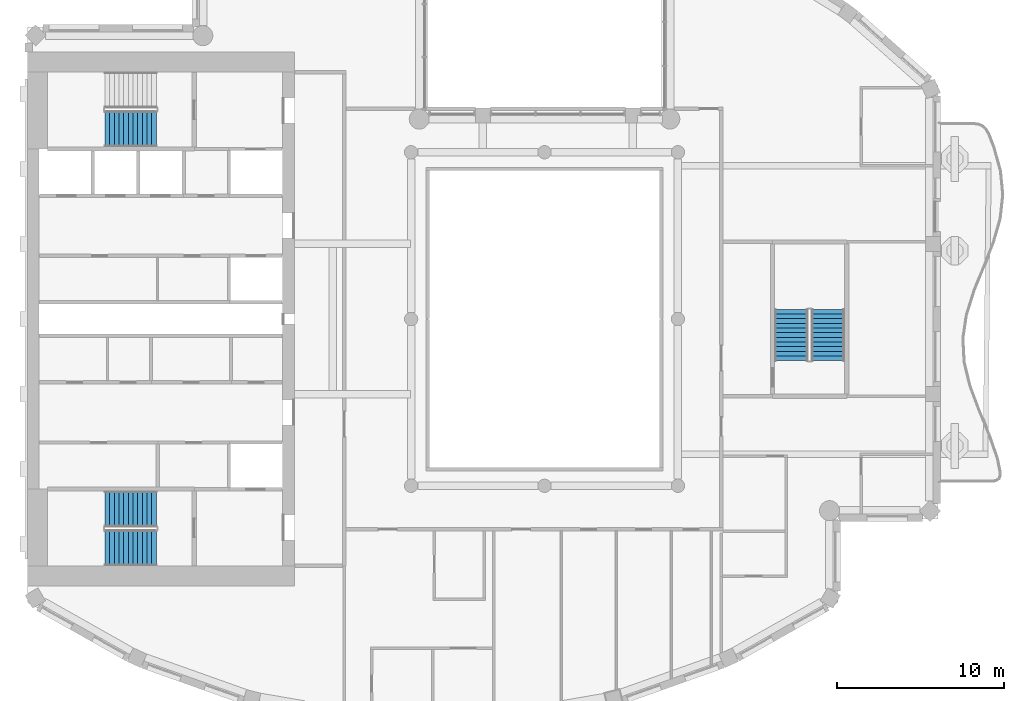
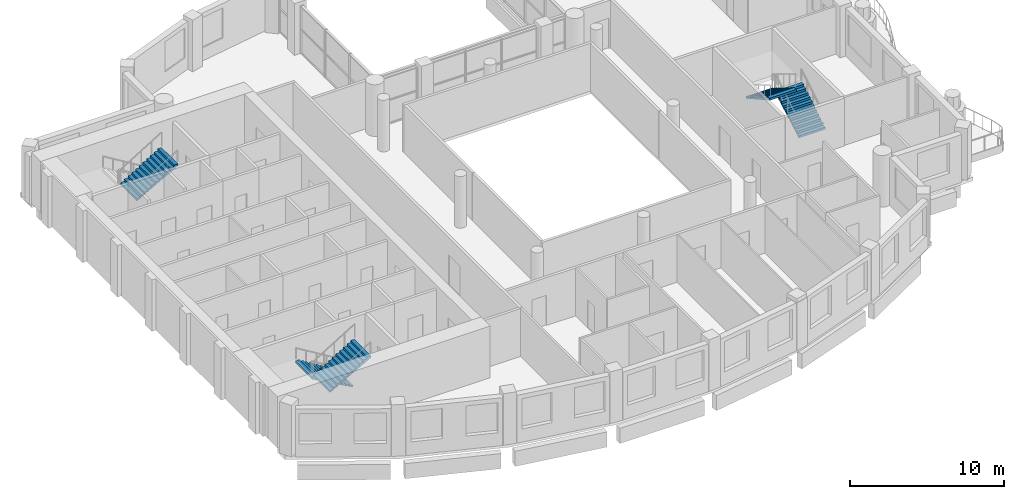
# One storey, part 9 of 15: 5 stair flights, 3 elements without a shape of their own.
"""IFC4 building model written with IfcOpenShell, lengths in metres."""

from ifc_helpers import new_model, si_unit, direction, frame, origin, place, context, subcontext, project, spatial, triangles, material, type_object, element, aggregate, save


model = new_model("IFC4")

# Units and contexts
model_context = context("Model", 3, precision=1e-05, world=origin(), true_north=direction((0.0, 1.0)))
body_context = subcontext(model_context, "Body", "Model", "MODEL_VIEW")
ifc_project = project(units=[si_unit("LENGTHUNIT", "METRE"), si_unit("AREAUNIT", "SQUARE_METRE"), si_unit("VOLUMEUNIT", "CUBIC_METRE"), si_unit("PLANEANGLEUNIT", "RADIAN"), si_unit("MASSUNIT", "GRAM", prefix="KILO")], contexts=[model_context])

# Site, building, storey
site_placement = place(None, origin())
site = spatial("IfcSite", under=ifc_project, at=site_placement, CompositionType="ELEMENT")
building_placement = place(site_placement, origin())
building = spatial("IfcBuilding", under=site, at=building_placement, Name="Cypress Arch Tower", CompositionType="ELEMENT")
storey_placement = place(building_placement, frame((0.0, 0.0, 321.300048828125)))
storey = spatial("IfcBuildingStorey", under=building, at=storey_placement, Name="L73", CompositionType="ELEMENT", Elevation=321.300048828125)

# Stair, stair flights
ifc_material_1 = material(Name="Concrete C40/50", Category="concrete")
stair_type_1 = type_object("IfcStairType", Name="Exit stair ES1708-200", PredefinedType="HALF_TURN_STAIR", material=ifc_material_1)
stair_1_placement = place(storey_placement, origin())
stair_1 = element("IfcStair", 1, at=stair_1_placement, inside=storey, type_object=stair_type_1, Name="L73 Exit stair C", PredefinedType="HALF_TURN_STAIR")
ifc_material_2 = material(Name="Concrete C40/50", Category="concrete")
stair_flight_type_1 = type_object("IfcStairFlightType", Name="Exit stair flight ES1708-200", PredefinedType="STRAIGHT", material=ifc_material_2)
stair_flight_1_placement = place(storey_placement, frame((18.0, -2.5, 0.0), z_axis=(0.0, 0.0, 1.0), x_axis=(0.0, 1.0, 0.0)))
stair_flight_1 = element("IfcStairFlight", 2, at=stair_flight_1_placement, type_object=stair_flight_type_1, Name="C flight 1", NumberOfRisers=12, NumberOfTreads=11, PredefinedType="STRAIGHT", RiserHeight=0.170833333, TreadLength=0.28, context=body_context, shape_type="Tessellation", body=[
    triangles([(0.0, -1.0, 0.0), (0.0, -1.0, 0.1708984375), (0.280029296875, -1.0, 0.1708984375), (0.280029296875, -1.0, 0.341552734375), (0.56005859375, -1.0, 0.341552734375), (0.56005859375, -1.0, 0.512451171875), (0.840087890625, -1.0, 0.512451171875), (0.840087890625, -1.0, 0.683349609375), (1.1201171875, -1.0, 0.683349609375), (1.1201171875, -1.0, 0.854248046875), (1.39990234375, -1.0, 0.854248046875), (1.39990234375, -1.0, 1.02490234375), (1.679931640625, -1.0, 1.02490234375), (1.679931640625, -1.0, 1.19580078125), (1.9599609375, -1.0, 1.19580078125), (1.9599609375, -1.0, 1.36669921875), (2.239990234375, -1.0, 1.36669921875), (2.239990234375, -1.0, 1.53759765625), (2.52001953125, -1.0, 1.53759765625), (2.52001953125, -1.0, 1.708251953125), (2.800048828125, -1.0, 1.708251953125), (2.800048828125, -1.0, 1.879150390625), (3.080078125, -1.0, 1.879150390625), (3.080078125, -1.0, 1.70361328125), (3.080078125, 1.0, 1.70361328125), (3.080078125, 1.0, 1.879150390625), (2.800048828125, 1.0, 1.879150390625), (2.800048828125, 1.0, 1.708251953125), (2.52001953125, 1.0, 1.708251953125), (2.52001953125, 1.0, 1.53759765625), (2.239990234375, 1.0, 1.53759765625), (2.239990234375, 1.0, 1.36669921875), (1.9599609375, 1.0, 1.36669921875), (1.9599609375, 1.0, 1.19580078125), (1.679931640625, 1.0, 1.19580078125), (1.679931640625, 1.0, 1.02490234375), (1.39990234375, 1.0, 1.02490234375), (1.39990234375, 1.0, 0.854248046875), (1.1201171875, 1.0, 0.854248046875), (1.1201171875, 1.0, 0.683349609375), (0.840087890625, 1.0, 0.683349609375), (0.840087890625, 1.0, 0.512451171875), (0.56005859375, 1.0, 0.512451171875), (0.56005859375, 1.0, 0.341552734375), (0.280029296875, 1.0, 0.341552734375), (0.280029296875, 1.0, 0.1708984375), (0.0, 1.0, 0.1708984375), (0.0, 1.0, 0.0), (3.080078125, 0.0, 1.879150390625), (3.080078125, 0.0, 1.70361328125), (2.800048828125, 0.0, 1.879150390625), (2.800048828125, 0.0, 1.708251953125), (2.52001953125, 0.0, 1.708251953125), (2.52001953125, 0.0, 1.53759765625), (2.239990234375, 0.0, 1.53759765625), (2.239990234375, 0.0, 1.36669921875), (1.9599609375, 0.0, 1.36669921875), (1.9599609375, 0.0, 1.19580078125), (1.679931640625, 0.0, 1.19580078125), (1.679931640625, 0.0, 1.02490234375), (1.39990234375, 0.0, 1.02490234375), (1.39990234375, 0.0, 0.854248046875), (1.1201171875, 0.0, 0.854248046875), (1.1201171875, 0.0, 0.683349609375), (0.840087890625, 0.0, 0.683349609375), (0.840087890625, 0.0, 0.512451171875), (0.56005859375, 0.0, 0.512451171875), (0.56005859375, 0.0, 0.341552734375), (0.280029296875, 0.0, 0.341552734375), (0.280029296875, 0.0, 0.1708984375), (0.0, 0.0, 0.1708984375), (0.0, 0.0, 0.0)], [[24, 23, 22], [11, 10, 9], [19, 18, 17], [17, 16, 15], [15, 14, 13], [9, 8, 7], [7, 6, 5], [3, 2, 1], [21, 20, 19], [13, 12, 11], [5, 4, 3], [24, 22, 21], [24, 21, 19], [24, 19, 17], [24, 17, 15], [24, 15, 13], [24, 13, 11], [24, 11, 9], [24, 9, 7], [24, 7, 5], [1, 24, 5], [5, 3, 1], [25, 27, 26], [38, 40, 39], [30, 32, 31], [32, 34, 33], [34, 36, 35], [40, 42, 41], [42, 44, 43], [46, 48, 47], [28, 30, 29], [36, 38, 37], [44, 46, 45], [25, 28, 27], [25, 30, 28], [25, 32, 30], [25, 34, 32], [25, 36, 34], [25, 38, 36], [25, 40, 38], [25, 42, 40], [25, 44, 42], [48, 44, 25], [44, 48, 46], [50, 49, 23], [50, 23, 24], [25, 26, 49], [25, 49, 50], [49, 51, 22], [49, 22, 23], [26, 27, 51], [26, 51, 49], [51, 52, 21], [51, 21, 22], [27, 28, 52], [27, 52, 51], [52, 53, 20], [52, 20, 21], [28, 29, 53], [28, 53, 52], [53, 54, 19], [53, 19, 20], [29, 30, 54], [29, 54, 53], [54, 55, 18], [54, 18, 19], [30, 31, 55], [30, 55, 54], [55, 56, 17], [55, 17, 18], [31, 32, 56], [31, 56, 55], [56, 57, 16], [56, 16, 17], [32, 33, 57], [32, 57, 56], [57, 58, 15], [57, 15, 16], [33, 34, 58], [33, 58, 57], [58, 59, 14], [58, 14, 15], [34, 35, 59], [34, 59, 58], [59, 60, 13], [59, 13, 14], [35, 36, 60], [35, 60, 59], [60, 61, 12], [60, 12, 13], [36, 37, 61], [36, 61, 60], [61, 62, 11], [61, 11, 12], [37, 38, 62], [37, 62, 61], [62, 63, 10], [62, 10, 11], [38, 39, 63], [38, 63, 62], [63, 64, 9], [63, 9, 10], [39, 40, 64], [39, 64, 63], [64, 65, 8], [64, 8, 9], [40, 41, 65], [40, 65, 64], [65, 66, 7], [65, 7, 8], [41, 42, 66], [41, 66, 65], [66, 67, 6], [66, 6, 7], [42, 43, 67], [42, 67, 66], [67, 68, 5], [67, 5, 6], [43, 44, 68], [43, 68, 67], [68, 69, 4], [68, 4, 5], [44, 45, 69], [44, 69, 68], [69, 70, 3], [69, 3, 4], [45, 46, 70], [45, 70, 69], [70, 71, 2], [70, 2, 3], [46, 47, 71], [46, 71, 70], [71, 72, 1], [71, 1, 2], [47, 48, 72], [47, 72, 71], [72, 50, 24], [72, 24, 1], [48, 25, 50], [48, 50, 72]], closed=True),
])
stair_flight_2_placement = place(storey_placement, frame((15.800048828125, 0.580078125, 2.050048828125), z_axis=(0.0, 0.0, 1.0), x_axis=(0.0, -1.0, 0.0)))
stair_flight_2 = element("IfcStairFlight", 3, at=stair_flight_2_placement, type_object=stair_flight_type_1, Name="C flight 2", NumberOfRisers=12, NumberOfTreads=11, PredefinedType="STRAIGHT", RiserHeight=0.170833333, TreadLength=0.28, context=body_context, shape_type="Tessellation", body=[
    triangles([(0.0, -1.0, 0.0), (0.0, -1.0, 0.1708984375), (0.280029296875, -1.0, 0.1708984375), (0.280029296875, -1.0, 0.341552734375), (0.56005859375, -1.0, 0.341552734375), (0.56005859375, -1.0, 0.512451171875), (0.840087890625, -1.0, 0.512451171875), (0.840087890625, -1.0, 0.683349609375), (1.1201171875, -1.0, 0.683349609375), (1.1201171875, -1.0, 0.854248046875), (1.39990234375, -1.0, 0.854248046875), (1.39990234375, -1.0, 1.02490234375), (1.679931640625, -1.0, 1.02490234375), (1.679931640625, -1.0, 1.19580078125), (1.9599609375, -1.0, 1.19580078125), (1.9599609375, -1.0, 1.36669921875), (2.239990234375, -1.0, 1.36669921875), (2.239990234375, -1.0, 1.53759765625), (2.52001953125, -1.0, 1.53759765625), (2.52001953125, -1.0, 1.708251953125), (2.800048828125, -1.0, 1.708251953125), (2.800048828125, -1.0, 1.879150390625), (3.080078125, -1.0, 1.879150390625), (3.080078125, -1.0, 1.70361328125), (3.080078125, 1.0, 1.70361328125), (3.080078125, 1.0, 1.879150390625), (2.800048828125, 1.0, 1.879150390625), (2.800048828125, 1.0, 1.708251953125), (2.52001953125, 1.0, 1.708251953125), (2.52001953125, 1.0, 1.53759765625), (2.239990234375, 1.0, 1.53759765625), (2.239990234375, 1.0, 1.36669921875), (1.9599609375, 1.0, 1.36669921875), (1.9599609375, 1.0, 1.19580078125), (1.679931640625, 1.0, 1.19580078125), (1.679931640625, 1.0, 1.02490234375), (1.39990234375, 1.0, 1.02490234375), (1.39990234375, 1.0, 0.854248046875), (1.1201171875, 1.0, 0.854248046875), (1.1201171875, 1.0, 0.683349609375), (0.840087890625, 1.0, 0.683349609375), (0.840087890625, 1.0, 0.512451171875), (0.56005859375, 1.0, 0.512451171875), (0.56005859375, 1.0, 0.341552734375), (0.280029296875, 1.0, 0.341552734375), (0.280029296875, 1.0, 0.1708984375), (0.0, 1.0, 0.1708984375), (0.0, 1.0, 0.0), (3.080078125, 0.0, 1.879150390625), (3.080078125, 0.0, 1.70361328125), (2.800048828125, 0.0, 1.879150390625), (2.800048828125, 0.0, 1.708251953125), (2.52001953125, 0.0, 1.708251953125), (2.52001953125, 0.0, 1.53759765625), (2.239990234375, 0.0, 1.53759765625), (2.239990234375, 0.0, 1.36669921875), (1.9599609375, 0.0, 1.36669921875), (1.9599609375, 0.0, 1.19580078125), (1.679931640625, 0.0, 1.19580078125), (1.679931640625, 0.0, 1.02490234375), (1.39990234375, 0.0, 1.02490234375), (1.39990234375, 0.0, 0.854248046875), (1.1201171875, 0.0, 0.854248046875), (1.1201171875, 0.0, 0.683349609375), (0.840087890625, 0.0, 0.683349609375), (0.840087890625, 0.0, 0.512451171875), (0.56005859375, 0.0, 0.512451171875), (0.56005859375, 0.0, 0.341552734375), (0.280029296875, 0.0, 0.341552734375), (0.280029296875, 0.0, 0.1708984375), (0.0, 0.0, 0.1708984375), (0.0, 0.0, 0.0)], [[24, 23, 22], [11, 10, 9], [19, 18, 17], [17, 16, 15], [15, 14, 13], [9, 8, 7], [7, 6, 5], [3, 2, 1], [21, 20, 19], [13, 12, 11], [5, 4, 3], [24, 22, 21], [24, 21, 19], [24, 19, 17], [24, 17, 15], [24, 15, 13], [24, 13, 11], [24, 11, 9], [24, 9, 7], [24, 7, 5], [1, 24, 5], [5, 3, 1], [25, 27, 26], [38, 40, 39], [30, 32, 31], [32, 34, 33], [34, 36, 35], [40, 42, 41], [42, 44, 43], [46, 48, 47], [28, 30, 29], [36, 38, 37], [44, 46, 45], [25, 28, 27], [25, 30, 28], [25, 32, 30], [25, 34, 32], [25, 36, 34], [25, 38, 36], [25, 40, 38], [25, 42, 40], [25, 44, 42], [48, 44, 25], [44, 48, 46], [50, 49, 23], [50, 23, 24], [25, 26, 49], [25, 49, 50], [49, 51, 22], [49, 22, 23], [26, 27, 51], [26, 51, 49], [51, 52, 21], [51, 21, 22], [27, 28, 52], [27, 52, 51], [52, 53, 20], [52, 20, 21], [28, 29, 53], [28, 53, 52], [53, 54, 19], [53, 19, 20], [29, 30, 54], [29, 54, 53], [54, 55, 18], [54, 18, 19], [30, 31, 55], [30, 55, 54], [55, 56, 17], [55, 17, 18], [31, 32, 56], [31, 56, 55], [56, 57, 16], [56, 16, 17], [32, 33, 57], [32, 57, 56], [57, 58, 15], [57, 15, 16], [33, 34, 58], [33, 58, 57], [58, 59, 14], [58, 14, 15], [34, 35, 59], [34, 59, 58], [59, 60, 13], [59, 13, 14], [35, 36, 60], [35, 60, 59], [60, 61, 12], [60, 12, 13], [36, 37, 61], [36, 61, 60], [61, 62, 11], [61, 11, 12], [37, 38, 62], [37, 62, 61], [62, 63, 10], [62, 10, 11], [38, 39, 63], [38, 63, 62], [63, 64, 9], [63, 9, 10], [39, 40, 64], [39, 64, 63], [64, 65, 8], [64, 8, 9], [40, 41, 65], [40, 65, 64], [65, 66, 7], [65, 7, 8], [41, 42, 66], [41, 66, 65], [66, 67, 6], [66, 6, 7], [42, 43, 67], [42, 67, 66], [67, 68, 5], [67, 5, 6], [43, 44, 68], [43, 68, 67], [68, 69, 4], [68, 4, 5], [44, 45, 69], [44, 69, 68], [69, 70, 3], [69, 3, 4], [45, 46, 70], [45, 70, 69], [70, 71, 2], [70, 2, 3], [46, 47, 71], [46, 71, 70], [71, 72, 1], [71, 1, 2], [47, 48, 72], [47, 72, 71], [72, 50, 24], [72, 24, 1], [48, 25, 50], [48, 50, 72]], closed=True),
])
aggregate(stair_1, [stair_flight_1, stair_flight_2])

ifc_material_3 = material(Name="Concrete C40/50", Category="concrete")
stair_type_2 = type_object("IfcStairType", Name="Exit stair ES1708-215", PredefinedType="HALF_TURN_STAIR", material=ifc_material_3)
stair_2_placement = place(storey_placement, origin())
stair_2 = element("IfcStair", 4, at=stair_2_placement, inside=storey, type_object=stair_type_2, Name="L73 Exit stair A", PredefinedType="HALF_TURN_STAIR")
ifc_material_4 = material(Name="Concrete C40/50", Category="concrete")
stair_flight_type_2 = type_object("IfcStairFlightType", Name="Exit stair flight ES1708-215", PredefinedType="STRAIGHT", material=ifc_material_4)
stair_flight_3_placement = place(storey_placement, frame((-22.27490234375, -11.39990234375, 0.0), z_axis=(0.0, 0.0, 1.0), x_axis=(-1.0, 0.0, 0.0)))
stair_flight_3 = element("IfcStairFlight", 5, at=stair_flight_3_placement, type_object=stair_flight_type_2, Name="A flight 1", NumberOfRisers=12, NumberOfTreads=11, PredefinedType="STRAIGHT", RiserHeight=0.170833333, TreadLength=0.28, context=body_context, shape_type="Tessellation", body=[
    triangles([(0.0, -1.074951171875, 0.0), (0.000244140625, -1.074951171875, 0.01904296875), (0.000244140625, -1.074951171875, 0.0380859375), (0.00048828125, -1.074951171875, 0.056884765625), (0.00048828125, -1.074951171875, 0.075927734375), (0.00048828125, -1.074951171875, 0.094970703125), (0.00048828125, -1.074951171875, 0.114013671875), (0.000244140625, -1.074951171875, 0.1328125), (0.000244140625, -1.074951171875, 0.15185546875), (0.0, -1.074951171875, 0.1708984375), (0.280029296875, -1.074951171875, 0.1708984375), (0.280029296875, -1.074951171875, 0.341552734375), (0.56005859375, -1.074951171875, 0.341552734375), (0.56005859375, -1.074951171875, 0.512451171875), (0.840087890625, -1.074951171875, 0.512451171875), (0.840087890625, -1.074951171875, 0.683349609375), (1.1201171875, -1.074951171875, 0.683349609375), (1.1201171875, -1.074951171875, 0.854248046875), (1.39990234375, -1.074951171875, 0.854248046875), (1.39990234375, -1.074951171875, 1.02490234375), (1.679931640625, -1.074951171875, 1.02490234375), (1.679931640625, -1.074951171875, 1.19580078125), (1.9599609375, -1.074951171875, 1.19580078125), (1.9599609375, -1.074951171875, 1.36669921875), (2.239990234375, -1.074951171875, 1.36669921875), (2.239990234375, -1.074951171875, 1.53759765625), (2.52001953125, -1.074951171875, 1.53759765625), (2.52001953125, -1.074951171875, 1.708251953125), (2.800048828125, -1.074951171875, 1.708251953125), (2.800048828125, -1.074951171875, 1.879150390625), (3.080078125, -1.074951171875, 1.879150390625), (3.079833984375, -1.074951171875, 1.859619140625), (3.079833984375, -1.074951171875, 1.840087890625), (3.07958984375, -1.074951171875, 1.820556640625), (3.07958984375, -1.074951171875, 1.801025390625), (3.07958984375, -1.074951171875, 1.78173828125), (3.07958984375, -1.074951171875, 1.76220703125), (3.079833984375, -1.074951171875, 1.74267578125), (3.079833984375, -1.074951171875, 1.72314453125), (3.080078125, -1.074951171875, 1.70361328125), (3.080078125, 1.074951171875, 1.70361328125), (3.079833984375, 1.074951171875, 1.72314453125), (3.079833984375, 1.074951171875, 1.74267578125), (3.07958984375, 1.074951171875, 1.76220703125), (3.07958984375, 1.074951171875, 1.78173828125), (3.07958984375, 1.074951171875, 1.801025390625), (3.07958984375, 1.074951171875, 1.820556640625), (3.079833984375, 1.074951171875, 1.840087890625), (3.079833984375, 1.074951171875, 1.859619140625), (3.080078125, 1.074951171875, 1.879150390625), (2.800048828125, 1.074951171875, 1.879150390625), (2.800048828125, 1.074951171875, 1.708251953125), (2.52001953125, 1.074951171875, 1.708251953125), (2.52001953125, 1.074951171875, 1.53759765625), (2.239990234375, 1.074951171875, 1.53759765625), (2.239990234375, 1.074951171875, 1.36669921875), (1.9599609375, 1.074951171875, 1.36669921875), (1.9599609375, 1.074951171875, 1.19580078125), (1.679931640625, 1.074951171875, 1.19580078125), (1.679931640625, 1.074951171875, 1.02490234375), (1.39990234375, 1.074951171875, 1.02490234375), (1.39990234375, 1.074951171875, 0.854248046875), (1.1201171875, 1.074951171875, 0.854248046875), (1.1201171875, 1.074951171875, 0.683349609375), (0.840087890625, 1.074951171875, 0.683349609375), (0.840087890625, 1.074951171875, 0.512451171875), (0.56005859375, 1.074951171875, 0.512451171875), (0.56005859375, 1.074951171875, 0.341552734375), (0.280029296875, 1.074951171875, 0.341552734375), (0.280029296875, 1.074951171875, 0.1708984375), (0.0, 1.074951171875, 0.1708984375), (0.000244140625, 1.074951171875, 0.15185546875), (0.000244140625, 1.074951171875, 0.1328125), (0.00048828125, 1.074951171875, 0.114013671875), (0.00048828125, 1.074951171875, 0.094970703125), (0.00048828125, 1.074951171875, 0.075927734375), (0.00048828125, 1.074951171875, 0.056884765625), (0.000244140625, 1.074951171875, 0.0380859375), (0.000244140625, 1.074951171875, 0.01904296875), (0.0, 1.074951171875, 0.0)], [[40, 39, 30], [39, 38, 30], [38, 37, 30], [37, 36, 30], [36, 35, 30], [35, 34, 30], [34, 33, 30], [33, 32, 30], [32, 31, 30], [19, 18, 17], [27, 26, 25], [25, 24, 23], [23, 22, 21], [17, 16, 15], [15, 14, 13], [10, 9, 11], [9, 8, 11], [8, 7, 11], [7, 6, 11], [6, 5, 11], [5, 4, 11], [4, 3, 11], [3, 2, 11], [2, 1, 11], [29, 28, 27], [21, 20, 19], [13, 12, 11], [40, 30, 29], [40, 29, 27], [40, 27, 25], [40, 25, 23], [40, 23, 21], [40, 21, 19], [40, 19, 17], [40, 17, 15], [40, 15, 13], [1, 40, 13], [13, 11, 1], [41, 51, 42], [42, 51, 43], [43, 51, 44], [44, 51, 45], [45, 51, 46], [46, 51, 47], [47, 51, 48], [48, 51, 49], [49, 51, 50], [62, 64, 63], [54, 56, 55], [56, 58, 57], [58, 60, 59], [64, 66, 65], [66, 68, 67], [71, 70, 72], [72, 70, 73], [73, 70, 74], [74, 70, 75], [75, 70, 76], [76, 70, 77], [77, 70, 78], [78, 70, 79], [79, 70, 80], [52, 54, 53], [60, 62, 61], [68, 70, 69], [41, 52, 51], [41, 54, 52], [41, 56, 54], [41, 58, 56], [41, 60, 58], [41, 62, 60], [41, 64, 62], [41, 66, 64], [41, 68, 66], [80, 68, 41], [68, 80, 70], [41, 42, 39], [41, 39, 40], [42, 43, 38], [42, 38, 39], [43, 44, 37], [43, 37, 38], [44, 45, 36], [44, 36, 37], [45, 46, 35], [45, 35, 36], [46, 47, 34], [46, 34, 35], [47, 48, 33], [47, 33, 34], [48, 49, 32], [48, 32, 33], [49, 50, 31], [49, 31, 32], [50, 51, 30], [50, 30, 31], [51, 52, 29], [51, 29, 30], [52, 53, 28], [52, 28, 29], [53, 54, 27], [53, 27, 28], [54, 55, 26], [54, 26, 27], [55, 56, 25], [55, 25, 26], [56, 57, 24], [56, 24, 25], [57, 58, 23], [57, 23, 24], [58, 59, 22], [58, 22, 23], [59, 60, 21], [59, 21, 22], [60, 61, 20], [60, 20, 21], [61, 62, 19], [61, 19, 20], [62, 63, 18], [62, 18, 19], [63, 64, 17], [63, 17, 18], [64, 65, 16], [64, 16, 17], [65, 66, 15], [65, 15, 16], [66, 67, 14], [66, 14, 15], [67, 68, 13], [67, 13, 14], [68, 69, 12], [68, 12, 13], [69, 70, 11], [69, 11, 12], [70, 71, 10], [70, 10, 11], [71, 72, 9], [71, 9, 10], [72, 73, 8], [72, 8, 9], [73, 74, 7], [73, 7, 8], [74, 75, 6], [74, 6, 7], [75, 76, 5], [75, 5, 6], [76, 77, 4], [76, 4, 5], [77, 78, 3], [77, 3, 4], [78, 79, 2], [78, 2, 3], [79, 80, 1], [79, 1, 2], [80, 41, 40], [80, 40, 1]], closed=True),
])
stair_flight_4_placement = place(storey_placement, frame((-25.35498046875, -13.72509765625, 2.050048828125), z_axis=(0.0, 0.0, 1.0), x_axis=(1.0, 0.0, 0.0)))
stair_flight_4 = element("IfcStairFlight", 6, at=stair_flight_4_placement, type_object=stair_flight_type_2, Name="A flight 2", NumberOfRisers=12, NumberOfTreads=11, PredefinedType="STRAIGHT", RiserHeight=0.170833333, TreadLength=0.28, context=body_context, shape_type="Tessellation", body=[
    triangles([(0.0, -1.074951171875, 0.0), (0.000244140625, -1.074951171875, 0.01904296875), (0.000244140625, -1.074951171875, 0.0380859375), (0.00048828125, -1.074951171875, 0.056884765625), (0.00048828125, -1.074951171875, 0.075927734375), (0.00048828125, -1.074951171875, 0.094970703125), (0.00048828125, -1.074951171875, 0.114013671875), (0.000244140625, -1.074951171875, 0.1328125), (0.000244140625, -1.074951171875, 0.15185546875), (0.0, -1.074951171875, 0.1708984375), (0.280029296875, -1.074951171875, 0.1708984375), (0.280029296875, -1.074951171875, 0.341552734375), (0.56005859375, -1.074951171875, 0.341552734375), (0.56005859375, -1.074951171875, 0.512451171875), (0.840087890625, -1.074951171875, 0.512451171875), (0.840087890625, -1.074951171875, 0.683349609375), (1.1201171875, -1.074951171875, 0.683349609375), (1.1201171875, -1.074951171875, 0.854248046875), (1.39990234375, -1.074951171875, 0.854248046875), (1.39990234375, -1.074951171875, 1.02490234375), (1.679931640625, -1.074951171875, 1.02490234375), (1.679931640625, -1.074951171875, 1.19580078125), (1.9599609375, -1.074951171875, 1.19580078125), (1.9599609375, -1.074951171875, 1.36669921875), (2.239990234375, -1.074951171875, 1.36669921875), (2.239990234375, -1.074951171875, 1.53759765625), (2.52001953125, -1.074951171875, 1.53759765625), (2.52001953125, -1.074951171875, 1.708251953125), (2.800048828125, -1.074951171875, 1.708251953125), (2.800048828125, -1.074951171875, 1.879150390625), (3.080078125, -1.074951171875, 1.879150390625), (3.079833984375, -1.074951171875, 1.859619140625), (3.079833984375, -1.074951171875, 1.840087890625), (3.07958984375, -1.074951171875, 1.820556640625), (3.07958984375, -1.074951171875, 1.801025390625), (3.07958984375, -1.074951171875, 1.78173828125), (3.07958984375, -1.074951171875, 1.76220703125), (3.079833984375, -1.074951171875, 1.74267578125), (3.079833984375, -1.074951171875, 1.72314453125), (3.080078125, -1.074951171875, 1.70361328125), (3.080078125, 1.074951171875, 1.70361328125), (3.079833984375, 1.074951171875, 1.72314453125), (3.079833984375, 1.074951171875, 1.74267578125), (3.07958984375, 1.074951171875, 1.76220703125), (3.07958984375, 1.074951171875, 1.78173828125), (3.07958984375, 1.074951171875, 1.801025390625), (3.07958984375, 1.074951171875, 1.820556640625), (3.079833984375, 1.074951171875, 1.840087890625), (3.079833984375, 1.074951171875, 1.859619140625), (3.080078125, 1.074951171875, 1.879150390625), (2.800048828125, 1.074951171875, 1.879150390625), (2.800048828125, 1.074951171875, 1.708251953125), (2.52001953125, 1.074951171875, 1.708251953125), (2.52001953125, 1.074951171875, 1.53759765625), (2.239990234375, 1.074951171875, 1.53759765625), (2.239990234375, 1.074951171875, 1.36669921875), (1.9599609375, 1.074951171875, 1.36669921875), (1.9599609375, 1.074951171875, 1.19580078125), (1.679931640625, 1.074951171875, 1.19580078125), (1.679931640625, 1.074951171875, 1.02490234375), (1.39990234375, 1.074951171875, 1.02490234375), (1.39990234375, 1.074951171875, 0.854248046875), (1.1201171875, 1.074951171875, 0.854248046875), (1.1201171875, 1.074951171875, 0.683349609375), (0.840087890625, 1.074951171875, 0.683349609375), (0.840087890625, 1.074951171875, 0.512451171875), (0.56005859375, 1.074951171875, 0.512451171875), (0.56005859375, 1.074951171875, 0.341552734375), (0.280029296875, 1.074951171875, 0.341552734375), (0.280029296875, 1.074951171875, 0.1708984375), (0.0, 1.074951171875, 0.1708984375), (0.000244140625, 1.074951171875, 0.15185546875), (0.000244140625, 1.074951171875, 0.1328125), (0.00048828125, 1.074951171875, 0.114013671875), (0.00048828125, 1.074951171875, 0.094970703125), (0.00048828125, 1.074951171875, 0.075927734375), (0.00048828125, 1.074951171875, 0.056884765625), (0.000244140625, 1.074951171875, 0.0380859375), (0.000244140625, 1.074951171875, 0.01904296875), (0.0, 1.074951171875, 0.0)], [[40, 39, 30], [39, 38, 30], [38, 37, 30], [37, 36, 30], [36, 35, 30], [35, 34, 30], [34, 33, 30], [33, 32, 30], [32, 31, 30], [19, 18, 17], [27, 26, 25], [25, 24, 23], [23, 22, 21], [17, 16, 15], [15, 14, 13], [10, 9, 11], [9, 8, 11], [8, 7, 11], [7, 6, 11], [6, 5, 11], [5, 4, 11], [4, 3, 11], [3, 2, 11], [2, 1, 11], [29, 28, 27], [21, 20, 19], [13, 12, 11], [40, 30, 29], [40, 29, 27], [40, 27, 25], [40, 25, 23], [40, 23, 21], [40, 21, 19], [40, 19, 17], [40, 17, 15], [40, 15, 13], [1, 40, 13], [13, 11, 1], [41, 51, 42], [42, 51, 43], [43, 51, 44], [44, 51, 45], [45, 51, 46], [46, 51, 47], [47, 51, 48], [48, 51, 49], [49, 51, 50], [62, 64, 63], [54, 56, 55], [56, 58, 57], [58, 60, 59], [64, 66, 65], [66, 68, 67], [71, 70, 72], [72, 70, 73], [73, 70, 74], [74, 70, 75], [75, 70, 76], [76, 70, 77], [77, 70, 78], [78, 70, 79], [79, 70, 80], [52, 54, 53], [60, 62, 61], [68, 70, 69], [41, 52, 51], [41, 54, 52], [41, 56, 54], [41, 58, 56], [41, 60, 58], [41, 62, 60], [41, 64, 62], [41, 66, 64], [41, 68, 66], [80, 68, 41], [68, 80, 70], [41, 42, 39], [41, 39, 40], [42, 43, 38], [42, 38, 39], [43, 44, 37], [43, 37, 38], [44, 45, 36], [44, 36, 37], [45, 46, 35], [45, 35, 36], [46, 47, 34], [46, 34, 35], [47, 48, 33], [47, 33, 34], [48, 49, 32], [48, 32, 33], [49, 50, 31], [49, 31, 32], [50, 51, 30], [50, 30, 31], [51, 52, 29], [51, 29, 30], [52, 53, 28], [52, 28, 29], [53, 54, 27], [53, 27, 28], [54, 55, 26], [54, 26, 27], [55, 56, 25], [55, 25, 26], [56, 57, 24], [56, 24, 25], [57, 58, 23], [57, 23, 24], [58, 59, 22], [58, 22, 23], [59, 60, 21], [59, 21, 22], [60, 61, 20], [60, 20, 21], [61, 62, 19], [61, 19, 20], [62, 63, 18], [62, 18, 19], [63, 64, 17], [63, 17, 18], [64, 65, 16], [64, 16, 17], [65, 66, 15], [65, 15, 16], [66, 67, 14], [66, 14, 15], [67, 68, 13], [67, 13, 14], [68, 69, 12], [68, 12, 13], [69, 70, 11], [69, 11, 12], [70, 71, 10], [70, 10, 11], [71, 72, 9], [71, 9, 10], [72, 73, 8], [72, 8, 9], [73, 74, 7], [73, 7, 8], [74, 75, 6], [74, 6, 7], [75, 76, 5], [75, 5, 6], [76, 77, 4], [76, 4, 5], [77, 78, 3], [77, 3, 4], [78, 79, 2], [78, 2, 3], [79, 80, 1], [79, 1, 2], [80, 41, 40], [80, 40, 1]], closed=True),
])
aggregate(stair_2, [stair_flight_3, stair_flight_4])

# Stair, stair flight
stair_3_placement = place(storey_placement, origin())
stair_3 = element("IfcStair", 7, at=stair_3_placement, inside=storey, type_object=stair_type_2, Name="L73 Exit stair B", PredefinedType="HALF_TURN_STAIR")
stair_flight_5_placement = place(storey_placement, frame((-25.35498046875, 11.39990234375, 2.050048828125), z_axis=(0.0, 0.0, 1.0), x_axis=(1.0, 0.0, 0.0)))
stair_flight_5 = element("IfcStairFlight", 8, at=stair_flight_5_placement, type_object=stair_flight_type_2, Name="B flight 2", NumberOfRisers=12, NumberOfTreads=11, PredefinedType="STRAIGHT", RiserHeight=0.170833333, TreadLength=0.28, context=body_context, shape_type="Tessellation", body=[
    triangles([(0.0, -1.074951171875, 0.0), (0.000244140625, -1.074951171875, 0.01904296875), (0.000244140625, -1.074951171875, 0.0380859375), (0.00048828125, -1.074951171875, 0.056884765625), (0.00048828125, -1.074951171875, 0.075927734375), (0.00048828125, -1.074951171875, 0.094970703125), (0.00048828125, -1.074951171875, 0.114013671875), (0.000244140625, -1.074951171875, 0.1328125), (0.000244140625, -1.074951171875, 0.15185546875), (0.0, -1.074951171875, 0.1708984375), (0.280029296875, -1.074951171875, 0.1708984375), (0.280029296875, -1.074951171875, 0.341552734375), (0.56005859375, -1.074951171875, 0.341552734375), (0.56005859375, -1.074951171875, 0.512451171875), (0.840087890625, -1.074951171875, 0.512451171875), (0.840087890625, -1.074951171875, 0.683349609375), (1.1201171875, -1.074951171875, 0.683349609375), (1.1201171875, -1.074951171875, 0.854248046875), (1.39990234375, -1.074951171875, 0.854248046875), (1.39990234375, -1.074951171875, 1.02490234375), (1.679931640625, -1.074951171875, 1.02490234375), (1.679931640625, -1.074951171875, 1.19580078125), (1.9599609375, -1.074951171875, 1.19580078125), (1.9599609375, -1.074951171875, 1.36669921875), (2.239990234375, -1.074951171875, 1.36669921875), (2.239990234375, -1.074951171875, 1.53759765625), (2.52001953125, -1.074951171875, 1.53759765625), (2.52001953125, -1.074951171875, 1.708251953125), (2.800048828125, -1.074951171875, 1.708251953125), (2.800048828125, -1.074951171875, 1.879150390625), (3.080078125, -1.074951171875, 1.879150390625), (3.079833984375, -1.074951171875, 1.859619140625), (3.079833984375, -1.074951171875, 1.840087890625), (3.07958984375, -1.074951171875, 1.820556640625), (3.07958984375, -1.074951171875, 1.801025390625), (3.07958984375, -1.074951171875, 1.78173828125), (3.07958984375, -1.074951171875, 1.76220703125), (3.079833984375, -1.074951171875, 1.74267578125), (3.079833984375, -1.074951171875, 1.72314453125), (3.080078125, -1.074951171875, 1.70361328125), (3.080078125, 1.074951171875, 1.70361328125), (3.079833984375, 1.074951171875, 1.72314453125), (3.079833984375, 1.074951171875, 1.74267578125), (3.07958984375, 1.074951171875, 1.76220703125), (3.07958984375, 1.074951171875, 1.78173828125), (3.07958984375, 1.074951171875, 1.801025390625), (3.07958984375, 1.074951171875, 1.820556640625), (3.079833984375, 1.074951171875, 1.840087890625), (3.079833984375, 1.074951171875, 1.859619140625), (3.080078125, 1.074951171875, 1.879150390625), (2.800048828125, 1.074951171875, 1.879150390625), (2.800048828125, 1.074951171875, 1.708251953125), (2.52001953125, 1.074951171875, 1.708251953125), (2.52001953125, 1.074951171875, 1.53759765625), (2.239990234375, 1.074951171875, 1.53759765625), (2.239990234375, 1.074951171875, 1.36669921875), (1.9599609375, 1.074951171875, 1.36669921875), (1.9599609375, 1.074951171875, 1.19580078125), (1.679931640625, 1.074951171875, 1.19580078125), (1.679931640625, 1.074951171875, 1.02490234375), (1.39990234375, 1.074951171875, 1.02490234375), (1.39990234375, 1.074951171875, 0.854248046875), (1.1201171875, 1.074951171875, 0.854248046875), (1.1201171875, 1.074951171875, 0.683349609375), (0.840087890625, 1.074951171875, 0.683349609375), (0.840087890625, 1.074951171875, 0.512451171875), (0.56005859375, 1.074951171875, 0.512451171875), (0.56005859375, 1.074951171875, 0.341552734375), (0.280029296875, 1.074951171875, 0.341552734375), (0.280029296875, 1.074951171875, 0.1708984375), (0.0, 1.074951171875, 0.1708984375), (0.000244140625, 1.074951171875, 0.15185546875), (0.000244140625, 1.074951171875, 0.1328125), (0.00048828125, 1.074951171875, 0.114013671875), (0.00048828125, 1.074951171875, 0.094970703125), (0.00048828125, 1.074951171875, 0.075927734375), (0.00048828125, 1.074951171875, 0.056884765625), (0.000244140625, 1.074951171875, 0.0380859375), (0.000244140625, 1.074951171875, 0.01904296875), (0.0, 1.074951171875, 0.0)], [[40, 39, 30], [39, 38, 30], [38, 37, 30], [37, 36, 30], [36, 35, 30], [35, 34, 30], [34, 33, 30], [33, 32, 30], [32, 31, 30], [19, 18, 17], [27, 26, 25], [25, 24, 23], [23, 22, 21], [17, 16, 15], [15, 14, 13], [10, 9, 11], [9, 8, 11], [8, 7, 11], [7, 6, 11], [6, 5, 11], [5, 4, 11], [4, 3, 11], [3, 2, 11], [2, 1, 11], [29, 28, 27], [21, 20, 19], [13, 12, 11], [40, 30, 29], [40, 29, 27], [40, 27, 25], [40, 25, 23], [40, 23, 21], [40, 21, 19], [40, 19, 17], [40, 17, 15], [40, 15, 13], [1, 40, 13], [13, 11, 1], [41, 51, 42], [42, 51, 43], [43, 51, 44], [44, 51, 45], [45, 51, 46], [46, 51, 47], [47, 51, 48], [48, 51, 49], [49, 51, 50], [62, 64, 63], [54, 56, 55], [56, 58, 57], [58, 60, 59], [64, 66, 65], [66, 68, 67], [71, 70, 72], [72, 70, 73], [73, 70, 74], [74, 70, 75], [75, 70, 76], [76, 70, 77], [77, 70, 78], [78, 70, 79], [79, 70, 80], [52, 54, 53], [60, 62, 61], [68, 70, 69], [41, 52, 51], [41, 54, 52], [41, 56, 54], [41, 58, 56], [41, 60, 58], [41, 62, 60], [41, 64, 62], [41, 66, 64], [41, 68, 66], [80, 68, 41], [68, 80, 70], [41, 42, 39], [41, 39, 40], [42, 43, 38], [42, 38, 39], [43, 44, 37], [43, 37, 38], [44, 45, 36], [44, 36, 37], [45, 46, 35], [45, 35, 36], [46, 47, 34], [46, 34, 35], [47, 48, 33], [47, 33, 34], [48, 49, 32], [48, 32, 33], [49, 50, 31], [49, 31, 32], [50, 51, 30], [50, 30, 31], [51, 52, 29], [51, 29, 30], [52, 53, 28], [52, 28, 29], [53, 54, 27], [53, 27, 28], [54, 55, 26], [54, 26, 27], [55, 56, 25], [55, 25, 26], [56, 57, 24], [56, 24, 25], [57, 58, 23], [57, 23, 24], [58, 59, 22], [58, 22, 23], [59, 60, 21], [59, 21, 22], [60, 61, 20], [60, 20, 21], [61, 62, 19], [61, 19, 20], [62, 63, 18], [62, 18, 19], [63, 64, 17], [63, 17, 18], [64, 65, 16], [64, 16, 17], [65, 66, 15], [65, 15, 16], [66, 67, 14], [66, 14, 15], [67, 68, 13], [67, 13, 14], [68, 69, 12], [68, 12, 13], [69, 70, 11], [69, 11, 12], [70, 71, 10], [70, 10, 11], [71, 72, 9], [71, 9, 10], [72, 73, 8], [72, 8, 9], [73, 74, 7], [73, 7, 8], [74, 75, 6], [74, 6, 7], [75, 76, 5], [75, 5, 6], [76, 77, 4], [76, 4, 5], [77, 78, 3], [77, 3, 4], [78, 79, 2], [78, 2, 3], [79, 80, 1], [79, 1, 2], [80, 41, 40], [80, 40, 1]], closed=True),
])
aggregate(stair_3, [stair_flight_5])

save(model, "model.ifc")
